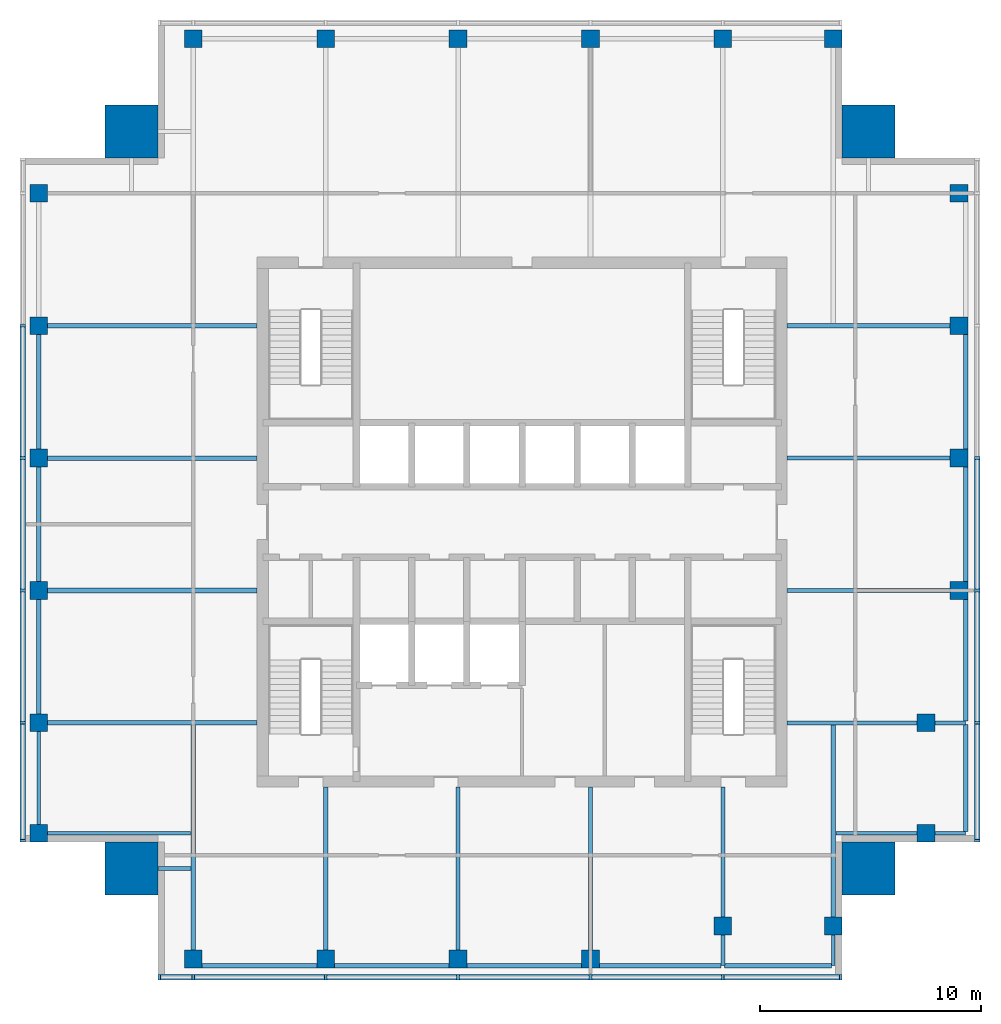
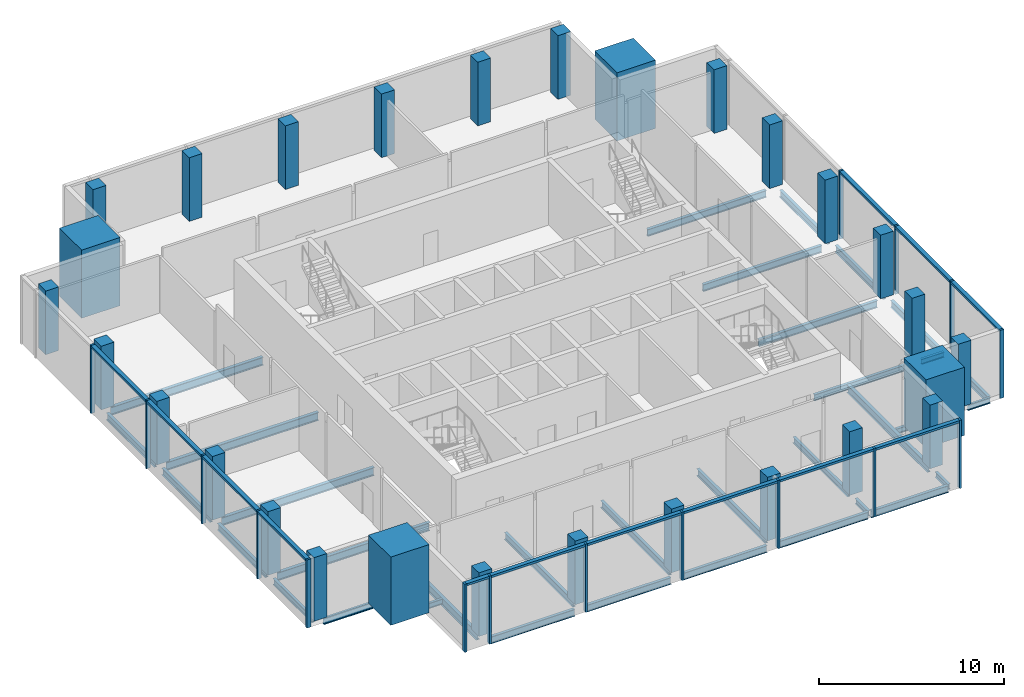
# One storey, part 1 of 7: 34 beams, 29 members, 28 columns, 3 elements without a shape of their own.
"""IFC4 building model written with IfcOpenShell, lengths in metres."""

from ifc_helpers import new_model, si_unit, direction, frame, origin, origin_2d, place, context, subcontext, project, spatial, rectangle, i_section, extrude, material, material_profile, profile_set, type_object, element, aggregate, save


model = new_model("IFC4")

# Units and contexts
model_context = context("Model", 3, precision=1e-05, world=origin(), true_north=direction((0.0, 1.0)))
body_context = subcontext(model_context, "Body", "Model", "MODEL_VIEW")
ifc_project = project(units=[si_unit("LENGTHUNIT", "METRE"), si_unit("AREAUNIT", "SQUARE_METRE"), si_unit("VOLUMEUNIT", "CUBIC_METRE"), si_unit("PLANEANGLEUNIT", "RADIAN"), si_unit("MASSUNIT", "GRAM", prefix="KILO")], contexts=[model_context])

# Site, building, storey
site_placement = place(None, origin())
site = spatial("IfcSite", under=ifc_project, at=site_placement, CompositionType="ELEMENT")
building_placement = place(site_placement, origin())
building = spatial("IfcBuilding", under=site, at=building_placement, Name="Amberfall Residences", CompositionType="ELEMENT")
storey_placement = place(building_placement, frame((0.0, 0.0, 281.800048828125)))
storey = spatial("IfcBuildingStorey", under=building, at=storey_placement, Name="L76 Crown", CompositionType="ELEMENT", Elevation=281.800048828125)

# Columns
ifc_material_1 = material(Name="Concrete C50", Category="concrete")
ifc_material_profile_1 = material_profile(ifc_material_1, rectangle(XDim=0.800048828125, YDim=0.800048828125, at=origin_2d()), Name="Column 800 x 800 C50")
ifc_profile_set_1 = profile_set([ifc_material_profile_1], Name="Concrete C50")
column_type_1 = type_object("IfcColumnType", Name="Column 800 x 800 C50", PredefinedType="COLUMN", material=ifc_profile_set_1)
for number, where, z_axis, x_axis, name in (
    (1, (59.60009765625, 25.699951171875, 0.0), (0.0, 0.0, 1.0), (1.0, 0.0, 0.0), "Column C5 L76 Crown S1"),
    (2, (65.60009765625, 25.699951171875, 0.0), (0.0, 0.0, 1.0), (1.0, 0.0, 0.0), "Column C5 L76 Crown S2"),
    (3, (71.60009765625, 25.699951171875, 0.0), (0.0, 0.0, 1.0), (1.0, 0.0, 0.0), "Column C5 L76 Crown S3"),
    (4, (77.60009765625, 25.699951171875, 0.0), (0.0, 0.0, 1.0), (1.0, 0.0, 0.0), "Column C5 L76 Crown S4"),
    (5, (83.60009765625, 27.199951171875, 0.0), (0.0, 0.0, 1.0), (1.0, 0.0, 0.0), "Column C5 L76 Crown S5"),
    (6, (88.60009765625, 27.199951171875, 0.0), (0.0, 0.0, 1.0), (1.0, 0.0, 0.0), "Column C5 L76 Crown S6"),
    (7, (92.800048828125, 31.39990234375, 0.0), (0.0, 0.0, 1.0), (1.0, 0.0, 0.0), "Column C5 L76 Crown E1"),
    (8, (92.800048828125, 36.39990234375, 0.0), (0.0, 0.0, 1.0), (1.0, 0.0, 0.0), "Column C5 L76 Crown E2"),
    (9, (94.300048828125, 42.39990234375, 0.0), (0.0, 0.0, 1.0), (1.0, 0.0, 0.0), "Column C5 L76 Crown E3"),
    (10, (94.300048828125, 48.39990234375, 0.0), (0.0, 0.0, 1.0), (1.0, 0.0, 0.0), "Column C5 L76 Crown E4"),
    (11, (94.300048828125, 54.39990234375, 0.0), (0.0, 0.0, 1.0), (1.0, 0.0, 0.0), "Column C5 L76 Crown E5"),
    (12, (94.300048828125, 60.39990234375, 0.0), (0.0, 0.0, 1.0), (1.0, 0.0, 0.0), "Column C5 L76 Crown E6"),
    (13, (59.60009765625, 67.39990234375, 0.0), (0.0, 0.0, 1.0), (1.0, 0.0, 0.0), "Column C5 L76 Crown N1"),
    (14, (65.60009765625, 67.39990234375, 0.0), (0.0, 0.0, 1.0), (1.0, 0.0, 0.0), "Column C5 L76 Crown N2"),
    (15, (71.60009765625, 67.39990234375, 0.0), (0.0, 0.0, 1.0), (1.0, 0.0, 0.0), "Column C5 L76 Crown N3"),
    (16, (77.60009765625, 67.39990234375, 0.0), (0.0, 0.0, 1.0), (1.0, 0.0, 0.0), "Column C5 L76 Crown N4"),
    (17, (83.60009765625, 67.39990234375, 0.0), (0.0, 0.0, 1.0), (1.0, 0.0, 0.0), "Column C5 L76 Crown N5"),
    (18, (88.60009765625, 67.39990234375, 0.0), (0.0, 0.0, 1.0), (1.0, 0.0, 0.0), "Column C5 L76 Crown N6"),
    (19, (52.60009765625, 31.39990234375, 0.0), (0.0, 0.0, 1.0), (1.0, 0.0, 0.0), "Column C5 L76 Crown W1"),
    (20, (52.60009765625, 36.39990234375, 0.0), (0.0, 0.0, 1.0), (1.0, 0.0, 0.0), "Column C5 L76 Crown W2"),
    (21, (52.60009765625, 42.39990234375, 0.0), (0.0, 0.0, 1.0), (1.0, 0.0, 0.0), "Column C5 L76 Crown W3"),
    (22, (52.60009765625, 48.39990234375, 0.0), (0.0, 0.0, 1.0), (1.0, 0.0, 0.0), "Column C5 L76 Crown W4"),
    (23, (52.60009765625, 54.39990234375, 0.0), (0.0, 0.0, 1.0), (1.0, 0.0, 0.0), "Column C5 L76 Crown W5"),
    (24, (52.60009765625, 60.39990234375, 0.0), (0.0, 0.0, 1.0), (1.0, 0.0, 0.0), "Column C5 L76 Crown W6"),
):
    element("IfcColumn", number, at=place(storey_placement, frame(where, z_axis=z_axis, x_axis=x_axis)), inside=storey, type_object=column_type_1, Name=name, PredefinedType="COLUMN", context=body_context, shape_type="SweptSolid", body=[
        extrude(rectangle(XDim=0.800048828125, YDim=0.800048828125, at=origin_2d()), origin(), (0.0, 0.0, 1.0), 4.199951171875),
    ])
ifc_material_profile_2 = material_profile(ifc_material_1, rectangle(XDim=2.39990234375, YDim=2.39990234375, at=origin_2d()), Name="Mega column 2400 x 2400 C50")
ifc_profile_set_2 = profile_set([ifc_material_profile_2], Name="Concrete C50")
column_type_2 = type_object("IfcColumnType", Name="Mega column 2400 x 2400 C50", PredefinedType="COLUMN", material=ifc_profile_set_2)
for number, where, z_axis, x_axis, name in (
    (25, (56.800048828125, 29.800048828125, 0.0), (0.0, 0.0, 1.0), (1.0, 0.0, 0.0), "Mega column MC11 L76 Crown SW"),
    (26, (90.199951171875, 29.800048828125, 0.0), (0.0, 0.0, 1.0), (1.0, 0.0, 0.0), "Mega column MC11 L76 Crown SE"),
    (27, (90.199951171875, 63.199951171875, 0.0), (0.0, 0.0, 1.0), (1.0, 0.0, 0.0), "Mega column MC11 L76 Crown NE"),
    (28, (56.800048828125, 63.199951171875, 0.0), (0.0, 0.0, 1.0), (1.0, 0.0, 0.0), "Mega column MC11 L76 Crown NW"),
):
    element("IfcColumn", number, at=place(storey_placement, frame(where, z_axis=z_axis, x_axis=x_axis)), inside=storey, type_object=column_type_2, Name=name, PredefinedType="COLUMN", context=body_context, shape_type="SweptSolid", body=[
        extrude(rectangle(XDim=2.39990234375, YDim=2.39990234375, at=origin_2d()), origin(), (0.0, 0.0, 1.0), 4.5),
    ])

# Curtain wall, members
ifc_material_2 = material(Name="Bronze anodised aluminium and glass", Category="aluminium")
curtain_wall_type = type_object("IfcCurtainWallType", Name="Curtain wall CW6 crown louvre", PredefinedType="USERDEFINED", material=ifc_material_2)
curtain_wall_1_placement = place(storey_placement, origin())
curtain_wall_1 = element("IfcCurtainWall", 29, at=curtain_wall_1_placement, inside=storey, type_object=curtain_wall_type, Name="Curtain wall L76 Crown S S1", ObjectType="UNITISED CURTAIN WALL", PredefinedType="USERDEFINED")
ifc_material_3 = material(Name="Bronze anodised aluminium", Category="aluminium")
ifc_material_profile_3 = material_profile(ifc_material_3, rectangle(XDim=0.25, YDim=0.1201171875, at=origin_2d()), Name="CW6 mullion 120 x 250 bronze")
ifc_profile_set_3 = profile_set([ifc_material_profile_3], Name="Bronze anodised aluminium")
member_type_1 = type_object("IfcMemberType", Name="CW6 mullion 120 x 250 bronze", PredefinedType="MULLION", material=ifc_profile_set_3)
member_1_placement = place(storey_placement, frame((58.06005859375, 24.875, -0.300048828125), z_axis=(0.0, 0.0, 1.0), x_axis=(0.0, 1.0, 0.0)))
member_1 = element("IfcMember", 30, at=member_1_placement, type_object=member_type_1, Name="CW6 mullion 1", PredefinedType="MULLION", context=body_context, shape_type="SweptSolid", body=[
    extrude(rectangle(XDim=0.25, YDim=0.1201171875, at=origin_2d()), origin(), (0.0, 0.0, 1.0), 4.5),
])
member_2_placement = place(storey_placement, frame((59.60009765625, 24.875, -0.300048828125), z_axis=(0.0, 0.0, 1.0), x_axis=(0.0, 1.0, 0.0)))
member_2 = element("IfcMember", 31, at=member_2_placement, type_object=member_type_1, Name="CW6 mullion 2", PredefinedType="MULLION", context=body_context, shape_type="SweptSolid", body=[
    extrude(rectangle(XDim=0.25, YDim=0.1201171875, at=origin_2d()), origin(), (0.0, 0.0, 1.0), 4.5),
])
member_3_placement = place(storey_placement, frame((65.60009765625, 24.875, -0.300048828125), z_axis=(0.0, 0.0, 1.0), x_axis=(0.0, 1.0, 0.0)))
member_3 = element("IfcMember", 32, at=member_3_placement, type_object=member_type_1, Name="CW6 mullion 3", PredefinedType="MULLION", context=body_context, shape_type="SweptSolid", body=[
    extrude(rectangle(XDim=0.25, YDim=0.1201171875, at=origin_2d()), origin(), (0.0, 0.0, 1.0), 4.5),
])
member_4_placement = place(storey_placement, frame((71.60009765625, 24.875, -0.300048828125), z_axis=(0.0, 0.0, 1.0), x_axis=(0.0, 1.0, 0.0)))
member_4 = element("IfcMember", 33, at=member_4_placement, type_object=member_type_1, Name="CW6 mullion 4", PredefinedType="MULLION", context=body_context, shape_type="SweptSolid", body=[
    extrude(rectangle(XDim=0.25, YDim=0.1201171875, at=origin_2d()), origin(), (0.0, 0.0, 1.0), 4.5),
])
member_5_placement = place(storey_placement, frame((77.60009765625, 24.875, -0.300048828125), z_axis=(0.0, 0.0, 1.0), x_axis=(0.0, 1.0, 0.0)))
member_5 = element("IfcMember", 34, at=member_5_placement, type_object=member_type_1, Name="CW6 mullion 5", PredefinedType="MULLION", context=body_context, shape_type="SweptSolid", body=[
    extrude(rectangle(XDim=0.25, YDim=0.1201171875, at=origin_2d()), origin(), (0.0, 0.0, 1.0), 4.5),
])
member_6_placement = place(storey_placement, frame((83.60009765625, 24.875, -0.300048828125), z_axis=(0.0, 0.0, 1.0), x_axis=(0.0, 1.0, 0.0)))
member_6 = element("IfcMember", 35, at=member_6_placement, type_object=member_type_1, Name="CW6 mullion 6", PredefinedType="MULLION", context=body_context, shape_type="SweptSolid", body=[
    extrude(rectangle(XDim=0.25, YDim=0.1201171875, at=origin_2d()), origin(), (0.0, 0.0, 1.0), 4.5),
])
member_7_placement = place(storey_placement, frame((88.93994140625, 24.875, -0.300048828125), z_axis=(0.0, 0.0, 1.0), x_axis=(0.0, 1.0, 0.0)))
member_7 = element("IfcMember", 36, at=member_7_placement, type_object=member_type_1, Name="CW6 mullion 7", PredefinedType="MULLION", context=body_context, shape_type="SweptSolid", body=[
    extrude(rectangle(XDim=0.25, YDim=0.1201171875, at=origin_2d()), origin(), (0.0, 0.0, 1.0), 4.5),
])

curtain_wall_2_placement = place(storey_placement, origin())
curtain_wall_2 = element("IfcCurtainWall", 37, at=curtain_wall_2_placement, inside=storey, type_object=curtain_wall_type, Name="Curtain wall L76 Crown E E1", ObjectType="UNITISED CURTAIN WALL", PredefinedType="USERDEFINED")
member_8_placement = place(storey_placement, frame((95.125, 31.06005859375, -0.300048828125), z_axis=(0.0, 0.0, 1.0), x_axis=(-1.0, 0.0, 0.0)))
member_8 = element("IfcMember", 38, at=member_8_placement, type_object=member_type_1, Name="CW6 mullion 1", PredefinedType="MULLION", context=body_context, shape_type="SweptSolid", body=[
    extrude(rectangle(XDim=0.25, YDim=0.1201171875, at=origin_2d()), origin(), (0.0, 0.0, 1.0), 4.5),
])
member_9_placement = place(storey_placement, frame((95.125, 36.39990234375, -0.300048828125), z_axis=(0.0, 0.0, 1.0), x_axis=(-1.0, 0.0, 0.0)))
member_9 = element("IfcMember", 39, at=member_9_placement, type_object=member_type_1, Name="CW6 mullion 2", PredefinedType="MULLION", context=body_context, shape_type="SweptSolid", body=[
    extrude(rectangle(XDim=0.25, YDim=0.1201171875, at=origin_2d()), origin(), (0.0, 0.0, 1.0), 4.5),
])
member_10_placement = place(storey_placement, frame((95.125, 42.39990234375, -0.300048828125), z_axis=(0.0, 0.0, 1.0), x_axis=(-1.0, 0.0, 0.0)))
member_10 = element("IfcMember", 40, at=member_10_placement, type_object=member_type_1, Name="CW6 mullion 3", PredefinedType="MULLION", context=body_context, shape_type="SweptSolid", body=[
    extrude(rectangle(XDim=0.25, YDim=0.1201171875, at=origin_2d()), origin(), (0.0, 0.0, 1.0), 4.5),
])
member_11_placement = place(storey_placement, frame((95.125, 48.39990234375, -0.300048828125), z_axis=(0.0, 0.0, 1.0), x_axis=(-1.0, 0.0, 0.0)))
member_11 = element("IfcMember", 41, at=member_11_placement, type_object=member_type_1, Name="CW6 mullion 4", PredefinedType="MULLION", context=body_context, shape_type="SweptSolid", body=[
    extrude(rectangle(XDim=0.25, YDim=0.1201171875, at=origin_2d()), origin(), (0.0, 0.0, 1.0), 4.5),
])

curtain_wall_3_placement = place(storey_placement, origin())
curtain_wall_3 = element("IfcCurtainWall", 42, at=curtain_wall_3_placement, inside=storey, type_object=curtain_wall_type, Name="Curtain wall L76 Crown W W1", ObjectType="UNITISED CURTAIN WALL", PredefinedType="USERDEFINED")
member_12_placement = place(storey_placement, frame((51.875, 54.39990234375, -0.300048828125), z_axis=(0.0, 0.0, 1.0), x_axis=(1.0, 0.0, 0.0)))
member_12 = element("IfcMember", 43, at=member_12_placement, type_object=member_type_1, Name="CW6 mullion 3", PredefinedType="MULLION", context=body_context, shape_type="SweptSolid", body=[
    extrude(rectangle(XDim=0.25, YDim=0.1201171875, at=origin_2d()), origin(), (0.0, 0.0, 1.0), 4.5),
])
member_13_placement = place(storey_placement, frame((51.875, 48.39990234375, -0.300048828125), z_axis=(0.0, 0.0, 1.0), x_axis=(1.0, 0.0, 0.0)))
member_13 = element("IfcMember", 44, at=member_13_placement, type_object=member_type_1, Name="CW6 mullion 4", PredefinedType="MULLION", context=body_context, shape_type="SweptSolid", body=[
    extrude(rectangle(XDim=0.25, YDim=0.1201171875, at=origin_2d()), origin(), (0.0, 0.0, 1.0), 4.5),
])
member_14_placement = place(storey_placement, frame((51.875, 42.39990234375, -0.300048828125), z_axis=(0.0, 0.0, 1.0), x_axis=(1.0, 0.0, 0.0)))
member_14 = element("IfcMember", 45, at=member_14_placement, type_object=member_type_1, Name="CW6 mullion 5", PredefinedType="MULLION", context=body_context, shape_type="SweptSolid", body=[
    extrude(rectangle(XDim=0.25, YDim=0.1201171875, at=origin_2d()), origin(), (0.0, 0.0, 1.0), 4.5),
])
member_15_placement = place(storey_placement, frame((51.875, 36.39990234375, -0.300048828125), z_axis=(0.0, 0.0, 1.0), x_axis=(1.0, 0.0, 0.0)))
member_15 = element("IfcMember", 46, at=member_15_placement, type_object=member_type_1, Name="CW6 mullion 6", PredefinedType="MULLION", context=body_context, shape_type="SweptSolid", body=[
    extrude(rectangle(XDim=0.25, YDim=0.1201171875, at=origin_2d()), origin(), (0.0, 0.0, 1.0), 4.5),
])
member_16_placement = place(storey_placement, frame((51.875, 31.06005859375, -0.300048828125), z_axis=(0.0, 0.0, 1.0), x_axis=(1.0, 0.0, 0.0)))
member_16 = element("IfcMember", 47, at=member_16_placement, type_object=member_type_1, Name="CW6 mullion 7", PredefinedType="MULLION", context=body_context, shape_type="SweptSolid", body=[
    extrude(rectangle(XDim=0.25, YDim=0.1201171875, at=origin_2d()), origin(), (0.0, 0.0, 1.0), 4.5),
])

# Member
ifc_material_profile_4 = material_profile(ifc_material_3, rectangle(XDim=0.25, YDim=0.14990234375, at=origin_2d()), Name="CW6 transom 250 x 150 bronze")
ifc_profile_set_4 = profile_set([ifc_material_profile_4], Name="Bronze anodised aluminium")
member_type_2 = type_object("IfcMemberType", Name="CW6 transom 250 x 150 bronze", PredefinedType="USERDEFINED", material=ifc_profile_set_4)
member_17_placement = place(storey_placement, frame((58.1201171875, 24.875, 4.125), z_axis=(1.0, 0.0, 0.0), x_axis=(0.0, 1.0, 0.0)))
member_17 = element("IfcMember", 48, at=member_17_placement, type_object=member_type_2, Name="CW6 transom 1.1", ObjectType="TRANSOM", PredefinedType="USERDEFINED", context=body_context, shape_type="SweptSolid", body=[
    extrude(rectangle(XDim=0.25, YDim=0.14990234375, at=origin_2d()), origin(), (0.0, 0.0, 1.0), 1.419921875),
])

member_18_placement = place(storey_placement, frame((59.659912109375, 24.875, 4.125), z_axis=(1.0, 0.0, 0.0), x_axis=(0.0, 1.0, 0.0)))
member_18 = element("IfcMember", 49, at=member_18_placement, type_object=member_type_2, Name="CW6 transom 2.1", ObjectType="TRANSOM", PredefinedType="USERDEFINED", context=body_context, shape_type="SweptSolid", body=[
    extrude(rectangle(XDim=0.25, YDim=0.14990234375, at=origin_2d()), origin(), (0.0, 0.0, 1.0), 5.880126953125),
])

member_19_placement = place(storey_placement, frame((65.659912109375, 24.875, 4.125), z_axis=(1.0, 0.0, 0.0), x_axis=(0.0, 1.0, 0.0)))
member_19 = element("IfcMember", 50, at=member_19_placement, type_object=member_type_2, Name="CW6 transom 3.1", ObjectType="TRANSOM", PredefinedType="USERDEFINED", context=body_context, shape_type="SweptSolid", body=[
    extrude(rectangle(XDim=0.25, YDim=0.14990234375, at=origin_2d()), origin(), (0.0, 0.0, 1.0), 5.880126953125),
])

member_20_placement = place(storey_placement, frame((71.659912109375, 24.875, 4.125), z_axis=(1.0, 0.0, 0.0), x_axis=(0.0, 1.0, 0.0)))
member_20 = element("IfcMember", 51, at=member_20_placement, type_object=member_type_2, Name="CW6 transom 4.1", ObjectType="TRANSOM", PredefinedType="USERDEFINED", context=body_context, shape_type="SweptSolid", body=[
    extrude(rectangle(XDim=0.25, YDim=0.14990234375, at=origin_2d()), origin(), (0.0, 0.0, 1.0), 5.880126953125),
])

member_21_placement = place(storey_placement, frame((77.659912109375, 24.875, 4.125), z_axis=(1.0, 0.0, 0.0), x_axis=(0.0, 1.0, 0.0)))
member_21 = element("IfcMember", 52, at=member_21_placement, type_object=member_type_2, Name="CW6 transom 5.1", ObjectType="TRANSOM", PredefinedType="USERDEFINED", context=body_context, shape_type="SweptSolid", body=[
    extrude(rectangle(XDim=0.25, YDim=0.14990234375, at=origin_2d()), origin(), (0.0, 0.0, 1.0), 5.880126953125),
])

member_22_placement = place(storey_placement, frame((83.659912109375, 24.875, 4.125), z_axis=(1.0, 0.0, 0.0), x_axis=(0.0, 1.0, 0.0)))
member_22 = element("IfcMember", 53, at=member_22_placement, type_object=member_type_2, Name="CW6 transom 6.1", ObjectType="TRANSOM", PredefinedType="USERDEFINED", context=body_context, shape_type="SweptSolid", body=[
    extrude(rectangle(XDim=0.25, YDim=0.14990234375, at=origin_2d()), origin(), (0.0, 0.0, 1.0), 5.219970703125),
])

aggregate(curtain_wall_1, [member_1, member_2, member_3, member_4, member_5, member_6, member_7, member_17, member_18, member_19, member_20, member_21, member_22])

member_23_placement = place(storey_placement, frame((95.125, 31.1201171875, 4.125), z_axis=(0.0, 1.0, 0.0), x_axis=(-1.0, 0.0, 0.0)))
member_23 = element("IfcMember", 54, at=member_23_placement, type_object=member_type_2, Name="CW6 transom 1.1", ObjectType="TRANSOM", PredefinedType="USERDEFINED", context=body_context, shape_type="SweptSolid", body=[
    extrude(rectangle(XDim=0.25, YDim=0.14990234375, at=origin_2d()), origin(), (0.0, 0.0, 1.0), 5.219970703125),
])

member_24_placement = place(storey_placement, frame((95.125, 36.4599609375, 4.125), z_axis=(0.0, 1.0, 0.0), x_axis=(-1.0, 0.0, 0.0)))
member_24 = element("IfcMember", 55, at=member_24_placement, type_object=member_type_2, Name="CW6 transom 2.1", ObjectType="TRANSOM", PredefinedType="USERDEFINED", context=body_context, shape_type="SweptSolid", body=[
    extrude(rectangle(XDim=0.25, YDim=0.14990234375, at=origin_2d()), origin(), (0.0, 0.0, 1.0), 5.880126953125),
])

member_25_placement = place(storey_placement, frame((95.125, 42.4599609375, 4.125), z_axis=(0.0, 1.0, 0.0), x_axis=(-1.0, 0.0, 0.0)))
member_25 = element("IfcMember", 56, at=member_25_placement, type_object=member_type_2, Name="CW6 transom 3.1", ObjectType="TRANSOM", PredefinedType="USERDEFINED", context=body_context, shape_type="SweptSolid", body=[
    extrude(rectangle(XDim=0.25, YDim=0.14990234375, at=origin_2d()), origin(), (0.0, 0.0, 1.0), 5.880126953125),
])

aggregate(curtain_wall_2, [member_8, member_9, member_10, member_11, member_23, member_24, member_25])

member_26_placement = place(storey_placement, frame((51.875, 54.340087890625, 4.125), z_axis=(0.0, -1.0, 0.0), x_axis=(1.0, 0.0, 0.0)))
member_26 = element("IfcMember", 57, at=member_26_placement, type_object=member_type_2, Name="CW6 transom 3.1", ObjectType="TRANSOM", PredefinedType="USERDEFINED", context=body_context, shape_type="SweptSolid", body=[
    extrude(rectangle(XDim=0.25, YDim=0.14990234375, at=origin_2d()), origin(), (0.0, 0.0, 1.0), 5.880126953125),
])

member_27_placement = place(storey_placement, frame((51.875, 48.340087890625, 4.125), z_axis=(0.0, -1.0, 0.0), x_axis=(1.0, 0.0, 0.0)))
member_27 = element("IfcMember", 58, at=member_27_placement, type_object=member_type_2, Name="CW6 transom 4.1", ObjectType="TRANSOM", PredefinedType="USERDEFINED", context=body_context, shape_type="SweptSolid", body=[
    extrude(rectangle(XDim=0.25, YDim=0.14990234375, at=origin_2d()), origin(), (0.0, 0.0, 1.0), 5.880126953125),
])

member_28_placement = place(storey_placement, frame((51.875, 42.340087890625, 4.125), z_axis=(0.0, -1.0, 0.0), x_axis=(1.0, 0.0, 0.0)))
member_28 = element("IfcMember", 59, at=member_28_placement, type_object=member_type_2, Name="CW6 transom 5.1", ObjectType="TRANSOM", PredefinedType="USERDEFINED", context=body_context, shape_type="SweptSolid", body=[
    extrude(rectangle(XDim=0.25, YDim=0.14990234375, at=origin_2d()), origin(), (0.0, 0.0, 1.0), 5.880126953125),
])

member_29_placement = place(storey_placement, frame((51.875, 36.340087890625, 4.125), z_axis=(0.0, -1.0, 0.0), x_axis=(1.0, 0.0, 0.0)))
member_29 = element("IfcMember", 60, at=member_29_placement, type_object=member_type_2, Name="CW6 transom 6.1", ObjectType="TRANSOM", PredefinedType="USERDEFINED", context=body_context, shape_type="SweptSolid", body=[
    extrude(rectangle(XDim=0.25, YDim=0.14990234375, at=origin_2d()), origin(), (0.0, 0.0, 1.0), 5.219970703125),
])

aggregate(curtain_wall_3, [member_12, member_13, member_14, member_15, member_16, member_26, member_27, member_28, member_29])

# Beams
ifc_material_4 = material(Name="Steel S355", Category="steel")
ifc_material_profile_5 = material_profile(ifc_material_4, i_section(OverallWidth=0.171142578125, OverallDepth=0.351318359375, WebThickness=0.007080078125, FlangeThickness=0.009765625, FilletRadius=0.01025390625, at=origin_2d()), Name="UB 356x171x45")
ifc_profile_set_5 = profile_set([ifc_material_profile_5], Name="Steel S355")
beam_type_1 = type_object("IfcBeamType", Name="Cantilever girder UB 356x171x45", PredefinedType="BEAM", material=ifc_profile_set_5)
for number, where, z_axis, x_axis, name in (
    (61, (83.60009765625, 26.800048828125, -0.475830078125), (0.0, -1.0, 0.0), (1.0, 0.0, 0.0), "Cantilever girder B8 L76 Crown 06"),
    (62, (88.60009765625, 26.800048828125, -0.475830078125), (0.0, -1.0, 0.0), (1.0, 0.0, 0.0), "Cantilever girder B8 L76 Crown 07"),
    (63, (93.199951171875, 31.39990234375, -0.475830078125), (1.0, 0.0, 0.0), (0.0, 1.0, 0.0), "Cantilever girder B8 L76 Crown 19"),
    (64, (93.199951171875, 36.39990234375, -0.475830078125), (1.0, 0.0, 0.0), (0.0, 1.0, 0.0), "Cantilever girder B8 L76 Crown 20"),
):
    element("IfcBeam", number, at=place(storey_placement, frame(where, z_axis=z_axis, x_axis=x_axis)), inside=storey, type_object=beam_type_1, Name=name, PredefinedType="BEAM", context=body_context, shape_type="SweptSolid", body=[
        extrude(i_section(OverallWidth=0.171142578125, OverallDepth=0.351318359375, WebThickness=0.007080078125, FlangeThickness=0.009765625, FilletRadius=0.01025390625, at=origin_2d()), origin(), (0.0, 0.0, 1.0), 1.400146484375),
    ])
ifc_material_profile_6 = material_profile(ifc_material_4, i_section(OverallWidth=0.177734375, OverallDepth=0.402587890625, WebThickness=0.0078125, FlangeThickness=0.010986328125, FilletRadius=0.01025390625, at=origin_2d()), Name="UB 406x178x54")
ifc_profile_set_6 = profile_set([ifc_material_profile_6], Name="Steel S355")
beam_type_2 = type_object("IfcBeamType", Name="Edge beam UB 406x178x54", PredefinedType="SPANDREL", material=ifc_profile_set_6)
beam_1_placement = place(storey_placement, frame((52.60009765625, 31.800048828125, -0.50146484375), z_axis=(0.0, 1.0, 0.0), x_axis=(-1.0, 0.0, 0.0)))
element("IfcBeam", 65, at=beam_1_placement, inside=storey, type_object=beam_type_2, Name="Edge beam B14 L76 Crown 38", PredefinedType="SPANDREL", context=body_context, shape_type="SweptSolid", body=[
    extrude(i_section(OverallWidth=0.177734375, OverallDepth=0.402587890625, WebThickness=0.0078125, FlangeThickness=0.010986328125, FilletRadius=0.01025390625, at=origin_2d()), origin(), (0.0, 0.0, 1.0), 4.199951171875),
])
ifc_material_profile_7 = material_profile(ifc_material_4, i_section(OverallWidth=0.18994140625, OverallDepth=0.453369140625, WebThickness=0.008544921875, FlangeThickness=0.0126953125, FilletRadius=0.01025390625, at=origin_2d()), Name="UB 457x191x67")
ifc_profile_set_7 = profile_set([ifc_material_profile_7], Name="Steel S355")
beam_type_3 = type_object("IfcBeamType", Name="Edge beam UB 457x191x67", PredefinedType="SPANDREL", material=ifc_profile_set_7)
for number, where, z_axis, x_axis, name in (
    (66, (60.0, 25.39990234375, -0.52685546875), (1.0, 0.0, 0.0), (0.0, 1.0, 0.0), "Edge beam B1 L76 Crown 01"),
    (67, (66.0, 25.39990234375, -0.52685546875), (1.0, 0.0, 0.0), (0.0, 1.0, 0.0), "Edge beam B1 L76 Crown 02"),
    (68, (72.0, 25.39990234375, -0.52685546875), (1.0, 0.0, 0.0), (0.0, 1.0, 0.0), "Edge beam B1 L76 Crown 03"),
):
    element("IfcBeam", number, at=place(storey_placement, frame(where, z_axis=z_axis, x_axis=x_axis)), inside=storey, type_object=beam_type_3, Name=name, PredefinedType="SPANDREL", context=body_context, shape_type="SweptSolid", body=[
        extrude(i_section(OverallWidth=0.18994140625, OverallDepth=0.453369140625, WebThickness=0.008544921875, FlangeThickness=0.0126953125, FilletRadius=0.01025390625, at=origin_2d()), origin(), (0.0, 0.0, 1.0), 5.199951171875),
    ])
beam_2_placement = place(storey_placement, frame((78.0, 25.39990234375, -0.52685546875), z_axis=(1.0, 0.0, 0.0), x_axis=(0.0, 1.0, 0.0)))
element("IfcBeam", 69, at=beam_2_placement, inside=storey, type_object=beam_type_3, Name="Edge beam B1 L76 Crown 04", PredefinedType="SPANDREL", context=body_context, shape_type="SweptSolid", body=[
    extrude(i_section(OverallWidth=0.18994140625, OverallDepth=0.453369140625, WebThickness=0.008544921875, FlangeThickness=0.0126953125, FilletRadius=0.01025390625, at=origin_2d()), origin(), (0.0, 0.0, 1.0), 5.52001953125),
])
for number, where, z_axis, x_axis, name in (
    (70, (83.679931640625, 25.39990234375, -0.52685546875), (1.0, 0.0, 0.0), (0.0, 1.0, 0.0), "Edge beam B1 L76 Crown 05"),
    (71, (94.60009765625, 31.47998046875, -0.52685546875), (0.0, 1.0, 0.0), (-1.0, 0.0, 0.0), "Edge beam B1 L76 Crown 14"),
):
    element("IfcBeam", number, at=place(storey_placement, frame(where, z_axis=z_axis, x_axis=x_axis)), inside=storey, type_object=beam_type_3, Name=name, PredefinedType="SPANDREL", context=body_context, shape_type="SweptSolid", body=[
        extrude(i_section(OverallWidth=0.18994140625, OverallDepth=0.453369140625, WebThickness=0.008544921875, FlangeThickness=0.0126953125, FilletRadius=0.01025390625, at=origin_2d()), origin(), (0.0, 0.0, 1.0), 4.840087890625),
    ])
beam_3_placement = place(storey_placement, frame((94.60009765625, 36.47998046875, -0.52685546875), z_axis=(0.0, 1.0, 0.0), x_axis=(-1.0, 0.0, 0.0)))
element("IfcBeam", 72, at=beam_3_placement, inside=storey, type_object=beam_type_3, Name="Edge beam B1 L76 Crown 15", PredefinedType="SPANDREL", context=body_context, shape_type="SweptSolid", body=[
    extrude(i_section(OverallWidth=0.18994140625, OverallDepth=0.453369140625, WebThickness=0.008544921875, FlangeThickness=0.0126953125, FilletRadius=0.01025390625, at=origin_2d()), origin(), (0.0, 0.0, 1.0), 5.52001953125),
])
for number, where, z_axis, x_axis, name in (
    (73, (94.60009765625, 42.800048828125, -0.52685546875), (0.0, 1.0, 0.0), (-1.0, 0.0, 0.0), "Edge beam B1 L76 Crown 16"),
    (74, (94.60009765625, 48.800048828125, -0.52685546875), (0.0, 1.0, 0.0), (-1.0, 0.0, 0.0), "Edge beam B1 L76 Crown 17"),
    (75, (52.60009765625, 36.800048828125, -0.52685546875), (0.0, 1.0, 0.0), (-1.0, 0.0, 0.0), "Edge beam B1 L76 Crown 39"),
    (76, (52.60009765625, 42.800048828125, -0.52685546875), (0.0, 1.0, 0.0), (-1.0, 0.0, 0.0), "Edge beam B1 L76 Crown 40"),
    (77, (52.60009765625, 48.800048828125, -0.52685546875), (0.0, 1.0, 0.0), (-1.0, 0.0, 0.0), "Edge beam B1 L76 Crown 41"),
):
    element("IfcBeam", number, at=place(storey_placement, frame(where, z_axis=z_axis, x_axis=x_axis)), inside=storey, type_object=beam_type_3, Name=name, PredefinedType="SPANDREL", context=body_context, shape_type="SweptSolid", body=[
        extrude(i_section(OverallWidth=0.18994140625, OverallDepth=0.453369140625, WebThickness=0.008544921875, FlangeThickness=0.0126953125, FilletRadius=0.01025390625, at=origin_2d()), origin(), (0.0, 0.0, 1.0), 5.199951171875),
    ])
ifc_material_profile_8 = material_profile(ifc_material_4, i_section(OverallWidth=0.171142578125, OverallDepth=0.351318359375, WebThickness=0.007080078125, FlangeThickness=0.009765625, FilletRadius=0.01025390625, at=origin_2d()), Name="UB 356x171x45")
ifc_profile_set_8 = profile_set([ifc_material_profile_8], Name="Steel S355")
beam_type_4 = type_object("IfcBeamType", Name="Floor girder UB 356x171x45", PredefinedType="BEAM", material=ifc_profile_set_8)
beam_4_placement = place(storey_placement, frame((92.39990234375, 31.39990234375, -0.475830078125), z_axis=(-1.0, 0.0, 0.0), x_axis=(0.0, -1.0, 0.0)))
element("IfcBeam", 78, at=beam_4_placement, inside=storey, type_object=beam_type_4, Name="Floor girder B11 L76 Crown 21", PredefinedType="BEAM", context=body_context, shape_type="SweptSolid", body=[
    extrude(i_section(OverallWidth=0.171142578125, OverallDepth=0.351318359375, WebThickness=0.007080078125, FlangeThickness=0.009765625, FilletRadius=0.01025390625, at=origin_2d()), origin(), (0.0, 0.0, 1.0), 3.679931640625),
])
ifc_material_profile_9 = material_profile(ifc_material_4, i_section(OverallWidth=0.177734375, OverallDepth=0.402587890625, WebThickness=0.0078125, FlangeThickness=0.010986328125, FilletRadius=0.01025390625, at=origin_2d()), Name="UB 406x178x54")
ifc_profile_set_9 = profile_set([ifc_material_profile_9], Name="Steel S355")
beam_type_5 = type_object("IfcBeamType", Name="Floor girder UB 406x178x54", PredefinedType="BEAM", material=ifc_profile_set_9)
for number, where, z_axis, x_axis, name in (
    (79, (83.60009765625, 27.60009765625, -0.50146484375), (0.0, 1.0, 0.0), (-1.0, 0.0, 0.0), "Floor girder B4 L76 Crown 12"),
    (80, (92.39990234375, 36.39990234375, -0.50146484375), (-1.0, 0.0, 0.0), (0.0, -1.0, 0.0), "Floor girder B4 L76 Crown 22"),
):
    element("IfcBeam", number, at=place(storey_placement, frame(where, z_axis=z_axis, x_axis=x_axis)), inside=storey, type_object=beam_type_5, Name=name, PredefinedType="BEAM", context=body_context, shape_type="SweptSolid", body=[
        extrude(i_section(OverallWidth=0.177734375, OverallDepth=0.402587890625, WebThickness=0.0078125, FlangeThickness=0.010986328125, FilletRadius=0.01025390625, at=origin_2d()), origin(), (0.0, 0.0, 1.0), 5.89990234375),
    ])
beam_5_placement = place(storey_placement, frame((53.0, 31.39990234375, -0.50146484375), z_axis=(1.0, 0.0, 0.0), x_axis=(0.0, 1.0, 0.0)))
element("IfcBeam", 81, at=beam_5_placement, inside=storey, type_object=beam_type_5, Name="Floor girder B4 L76 Crown 43", PredefinedType="BEAM", context=body_context, shape_type="SweptSolid", body=[
    extrude(i_section(OverallWidth=0.177734375, OverallDepth=0.402587890625, WebThickness=0.0078125, FlangeThickness=0.010986328125, FilletRadius=0.01025390625, at=origin_2d()), origin(), (0.0, 0.0, 1.0), 6.47998046875),
])
ifc_material_profile_10 = material_profile(ifc_material_4, i_section(OverallWidth=0.19140625, OverallDepth=0.4599609375, WebThickness=0.010009765625, FlangeThickness=0.01611328125, FilletRadius=0.01025390625, at=origin_2d()), Name="UB 457x191x82")
ifc_profile_set_10 = profile_set([ifc_material_profile_10], Name="Steel S355")
beam_type_6 = type_object("IfcBeamType", Name="Floor girder UB 457x191x82", PredefinedType="BEAM", material=ifc_profile_set_10)
for number, where, z_axis, x_axis, name in (
    (82, (65.60009765625, 26.10009765625, -0.530029296875), (0.0, 1.0, 0.0), (-1.0, 0.0, 0.0), "Floor girder B10 L76 Crown 09"),
    (83, (71.60009765625, 26.10009765625, -0.530029296875), (0.0, 1.0, 0.0), (-1.0, 0.0, 0.0), "Floor girder B10 L76 Crown 10"),
    (84, (77.60009765625, 26.10009765625, -0.530029296875), (0.0, 1.0, 0.0), (-1.0, 0.0, 0.0), "Floor girder B10 L76 Crown 11"),
    (85, (93.89990234375, 42.39990234375, -0.530029296875), (-1.0, 0.0, 0.0), (0.0, -1.0, 0.0), "Floor girder B10 L76 Crown 23"),
    (86, (93.89990234375, 48.39990234375, -0.530029296875), (-1.0, 0.0, 0.0), (0.0, -1.0, 0.0), "Floor girder B10 L76 Crown 24"),
    (87, (93.89990234375, 54.39990234375, -0.530029296875), (-1.0, 0.0, 0.0), (0.0, -1.0, 0.0), "Floor girder B10 L76 Crown 25"),
):
    element("IfcBeam", number, at=place(storey_placement, frame(where, z_axis=z_axis, x_axis=x_axis)), inside=storey, type_object=beam_type_6, Name=name, PredefinedType="BEAM", context=body_context, shape_type="SweptSolid", body=[
        extrude(i_section(OverallWidth=0.19140625, OverallDepth=0.4599609375, WebThickness=0.010009765625, FlangeThickness=0.01611328125, FilletRadius=0.01025390625, at=origin_2d()), origin(), (0.0, 0.0, 1.0), 7.39990234375),
    ])
ifc_material_profile_11 = material_profile(ifc_material_4, i_section(OverallWidth=0.209228515625, OverallDepth=0.533203125, WebThickness=0.010009765625, FlangeThickness=0.015625, FilletRadius=0.0126953125, at=origin_2d()), Name="UB 533x210x92")
ifc_profile_set_11 = profile_set([ifc_material_profile_11], Name="Steel S355")
beam_type_7 = type_object("IfcBeamType", Name="Floor girder UB 533x210x92", PredefinedType="BEAM", material=ifc_profile_set_11)
beam_6_placement = place(storey_placement, frame((59.60009765625, 26.10009765625, -0.566650390625), z_axis=(0.0, 1.0, 0.0), x_axis=(-1.0, 0.0, 0.0)))
element("IfcBeam", 88, at=beam_6_placement, inside=storey, type_object=beam_type_7, Name="Floor girder B3 L76 Crown 08", PredefinedType="BEAM", context=body_context, shape_type="SweptSolid", body=[
    extrude(i_section(OverallWidth=0.209228515625, OverallDepth=0.533203125, WebThickness=0.010009765625, FlangeThickness=0.015625, FilletRadius=0.0126953125, at=origin_2d()), origin(), (0.0, 0.0, 1.0), 10.2001953125),
])
beam_7_placement = place(storey_placement, frame((88.60009765625, 27.60009765625, -0.566650390625), z_axis=(0.0, 1.0, 0.0), x_axis=(-1.0, 0.0, 0.0)))
element("IfcBeam", 89, at=beam_7_placement, inside=storey, type_object=beam_type_7, Name="Floor girder B3 L76 Crown 13", PredefinedType="BEAM", context=body_context, shape_type="SweptSolid", body=[
    extrude(i_section(OverallWidth=0.209228515625, OverallDepth=0.533203125, WebThickness=0.010009765625, FlangeThickness=0.015625, FilletRadius=0.0126953125, at=origin_2d()), origin(), (0.0, 0.0, 1.0), 8.716064453125),
])
for number, where, z_axis, x_axis, name in (
    (90, (53.0, 36.39990234375, -0.566650390625), (1.0, 0.0, 0.0), (0.0, 1.0, 0.0), "Floor girder B3 L76 Crown 44"),
    (91, (53.0, 42.39990234375, -0.566650390625), (1.0, 0.0, 0.0), (0.0, 1.0, 0.0), "Floor girder B3 L76 Crown 45"),
    (92, (53.0, 48.39990234375, -0.566650390625), (1.0, 0.0, 0.0), (0.0, 1.0, 0.0), "Floor girder B3 L76 Crown 46"),
    (93, (53.0, 54.39990234375, -0.566650390625), (1.0, 0.0, 0.0), (0.0, 1.0, 0.0), "Floor girder B3 L76 Crown 47"),
):
    element("IfcBeam", number, at=place(storey_placement, frame(where, z_axis=z_axis, x_axis=x_axis)), inside=storey, type_object=beam_type_7, Name=name, PredefinedType="BEAM", context=body_context, shape_type="SweptSolid", body=[
        extrude(i_section(OverallWidth=0.209228515625, OverallDepth=0.533203125, WebThickness=0.010009765625, FlangeThickness=0.015625, FilletRadius=0.0126953125, at=origin_2d()), origin(), (0.0, 0.0, 1.0), 9.5),
    ])
ifc_material_profile_12 = material_profile(ifc_material_4, i_section(OverallWidth=0.171142578125, OverallDepth=0.351318359375, WebThickness=0.007080078125, FlangeThickness=0.009765625, FilletRadius=0.01025390625, at=origin_2d()), Name="UB 356x171x45")
ifc_profile_set_12 = profile_set([ifc_material_profile_12], Name="Steel S355")
beam_type_8 = type_object("IfcBeamType", Name="Link beam UB 356x171x45", PredefinedType="BEAM", material=ifc_profile_set_12)
beam_8_placement = place(storey_placement, frame((58.0, 29.800048828125, -0.475830078125), z_axis=(1.0, 0.0, 0.0), x_axis=(0.0, 1.0, 0.0)))
element("IfcBeam", 94, at=beam_8_placement, inside=storey, type_object=beam_type_8, Name="Link beam B7 L76 Crown 49", PredefinedType="BEAM", context=body_context, shape_type="SweptSolid", body=[
    extrude(i_section(OverallWidth=0.171142578125, OverallDepth=0.351318359375, WebThickness=0.007080078125, FlangeThickness=0.009765625, FilletRadius=0.01025390625, at=origin_2d()), origin(), (0.0, 0.0, 1.0), 1.50537109375),
])

save(model, "model.ifc")
